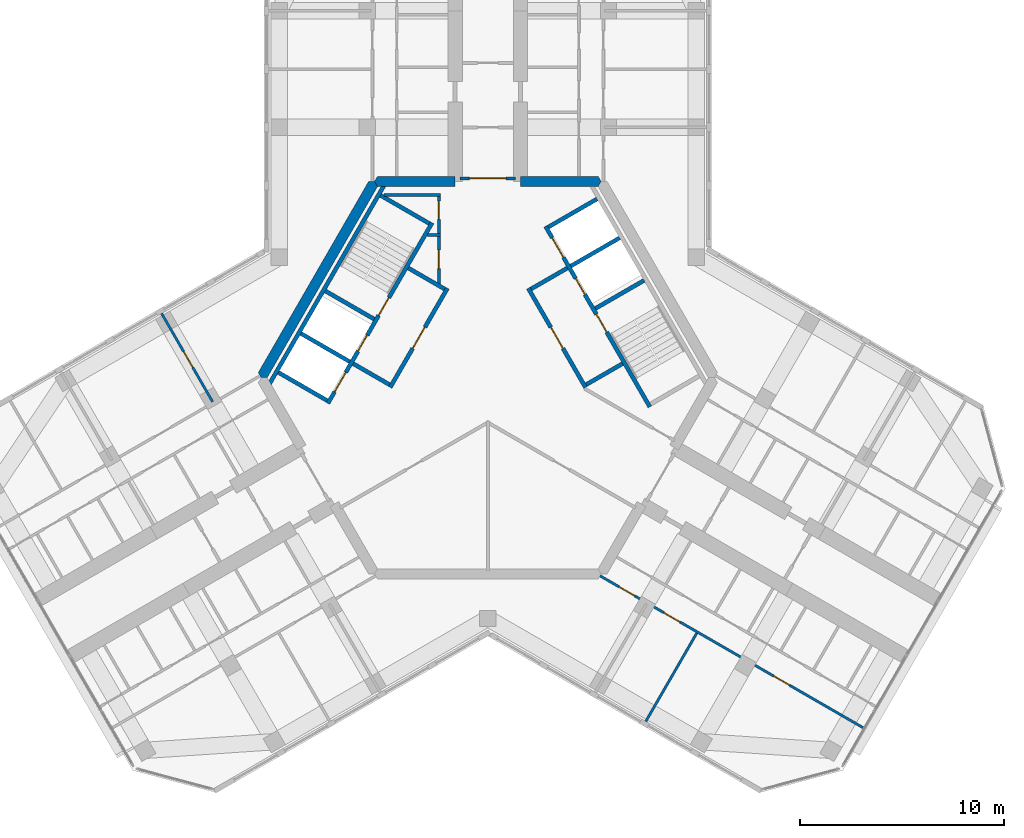
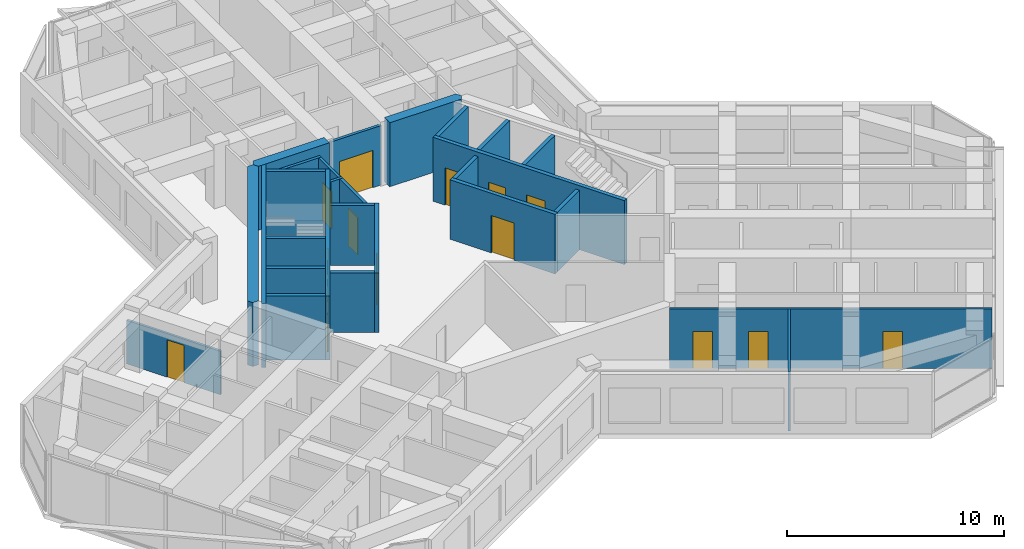
# One storey, part 9 of 14: 26 walls, 15 doors, 15 openings.
"""IFC4 building model written with IfcOpenShell, lengths in metres."""

from ifc_helpers import new_model, si_unit, direction, frame, frame_2d, origin, place, context, subcontext, project, spatial, polyline, rectangle, outline, extrude, material, layer, layer_set, type_object, element, fill, save


model = new_model("IFC4")

# Units and contexts
model_context = context("Model", 3, precision=1e-05, world=origin(), true_north=direction((0.0, 1.0)))
body_context = subcontext(model_context, "Body", "Model", "MODEL_VIEW")
ifc_project = project(units=[si_unit("LENGTHUNIT", "METRE"), si_unit("AREAUNIT", "SQUARE_METRE"), si_unit("VOLUMEUNIT", "CUBIC_METRE"), si_unit("PLANEANGLEUNIT", "RADIAN"), si_unit("MASSUNIT", "GRAM", prefix="KILO")], contexts=[model_context])

# Site, building, storey
site_placement = place(None, origin())
site = spatial("IfcSite", under=ifc_project, at=site_placement, CompositionType="ELEMENT")
building_placement = place(site_placement, origin())
building = spatial("IfcBuilding", under=site, at=building_placement, Name="Kosmar Iwan School Tower", CompositionType="ELEMENT")
storey_placement = place(building_placement, frame((0.0, 0.0, 285.39990234375)))
storey = spatial("IfcBuildingStorey", under=building, at=storey_placement, Name="L72", CompositionType="ELEMENT", Elevation=285.39990234375)

# Wall, openings, doors
ifc_material_1 = material(Name="Gypsum board on steel studs, fire-rated", Category="steel")
ifc_layer_1 = layer(ifc_material_1, 0.14990234375)
ifc_layer_set_1 = layer_set([ifc_layer_1], Name="Core room partition 150")
wall_type_1 = type_object("IfcWallType", Name="Core room partition 150", PredefinedType="PARTITIONING", material=ifc_layer_set_1)
wall_1_placement = place(storey_placement, frame((-2.39990234375, 9.014892578125, 0.0), z_axis=(0.0, 0.0, 1.0), x_axis=(0.0, -1.0, 0.0)))
wall_1 = element("IfcWall", 1, at=wall_1_placement, inside=storey, type_object=wall_type_1, Name="Core room partition L72-CW1", PredefinedType="PARTITIONING", context=body_context, shape_type="SweptSolid", body=[
    extrude(rectangle(XDim=4.484130859375, YDim=0.14990234375, at=frame_2d((2.2421875, 0.0))), origin(), (0.0, 0.0, 1.0), 3.35009765625),
])
opening_1_placement = place(wall_1_placement, frame((0.375, 0.0, 0.0)))
opening_1 = element("IfcOpeningElement", 2, at=opening_1_placement, cuts=wall_1, Name="Opening D14", PredefinedType="OPENING", context=body_context, shape_type="SweptSolid", body=[
    extrude(rectangle(XDim=0.89990234375, YDim=2.10009765625, at=frame_2d((0.449951171875, 1.050048828125))), frame((0.0, 0.0869140625, 0.0), z_axis=(0.0, -1.0, 0.0), x_axis=(1.0, 0.0, 0.0)), (0.0, 0.0, 1.0), 0.173828125),
])
opening_2_placement = place(wall_1_placement, frame((2.77490234375, 0.0, 0.0)))
opening_2 = element("IfcOpeningElement", 3, at=opening_2_placement, cuts=wall_1, Name="Opening D14", PredefinedType="OPENING", context=body_context, shape_type="SweptSolid", body=[
    extrude(rectangle(XDim=0.89990234375, YDim=2.10009765625, at=frame_2d((0.449951171875, 1.050048828125))), frame((0.0, 0.0869140625, 0.0), z_axis=(0.0, -1.0, 0.0), x_axis=(1.0, 0.0, 0.0)), (0.0, 0.0, 1.0), 0.173828125),
])
ifc_material_2 = material(Name="Timber fire door in steel frame", Category="steel")
door_type_1 = type_object("IfcDoorType", Name="Core room door 900x2100", OperationType="SINGLE_SWING_LEFT", PredefinedType="DOOR", material=ifc_material_2)
door_1_placement = place(opening_1_placement, origin())
door_1 = element("IfcDoor", 4, at=door_1_placement, inside=storey, type_object=door_type_1, Name="Electrical riser and switch room door L72 1", OperationType="SINGLE_SWING_LEFT", OverallHeight=2.10009765625, OverallWidth=0.89990234375, PredefinedType="DOOR", context=body_context, shape_type="SweptSolid", body=[
    extrude(rectangle(XDim=0.89990234375, YDim=2.10009765625, at=frame_2d((0.449951171875, 1.050048828125))), frame((0.0, 0.02490234375, 0.0), z_axis=(0.0, -1.0, 0.0), x_axis=(1.0, 0.0, 0.0)), (0.0, 0.0, 1.0), 0.050048828125),
])
fill(opening_1, door_1)
door_2_placement = place(opening_2_placement, origin())
door_2 = element("IfcDoor", 5, at=door_2_placement, inside=storey, type_object=door_type_1, Name="Plumbing and wet riser door L72 2", OperationType="SINGLE_SWING_RIGHT", OverallHeight=2.10009765625, OverallWidth=0.89990234375, PredefinedType="DOOR", context=body_context, shape_type="SweptSolid", body=[
    extrude(rectangle(XDim=0.89990234375, YDim=2.10009765625, at=frame_2d((0.449951171875, 1.050048828125))), frame((0.0, 0.02490234375, 0.0), z_axis=(0.0, -1.0, 0.0), x_axis=(1.0, 0.0, 0.0)), (0.0, 0.0, 1.0), 0.050048828125),
])
fill(opening_2, door_2)

# Walls
wall_2_placement = place(storey_placement, frame((-2.324951171875, 6.985107421875, 0.0), z_axis=(0.0, 0.0, 1.0), x_axis=(-1.0, 0.0, 0.0)))
element("IfcWall", 6, at=wall_2_placement, inside=storey, type_object=wall_type_1, Name="Core room partition L72-CW2", PredefinedType="PARTITIONING", context=body_context, shape_type="SweptSolid", body=[
    extrude(rectangle(XDim=0.623779296875, YDim=0.14990234375, at=frame_2d((0.31201171875, 0.0))), origin(), (0.0, 0.0, 1.0), 3.35009765625),
])
wall_3_placement = place(storey_placement, frame((-5.089599609375, 8.93994140625, 0.0), z_axis=(0.0, 0.0, 1.0), x_axis=(1.0, 0.0, 0.0)))
element("IfcWall", 7, at=wall_3_placement, inside=storey, type_object=wall_type_1, Name="Core room partition L72-CW3", PredefinedType="PARTITIONING", context=body_context, shape_type="SweptSolid", body=[
    extrude(rectangle(XDim=2.7646484375, YDim=0.14990234375, at=frame_2d((1.38232421875, 0.0))), origin(), (0.0, 0.0, 1.0), 3.35009765625),
])
ifc_material_3 = material(Name="Concrete C50/60", Category="concrete")
ifc_layer_2 = layer(ifc_material_3, 0.5)
ifc_layer_set_2 = layer_set([ifc_layer_2], Name="Core wall 500")
wall_type_2 = type_object("IfcWallType", Name="Core wall 500", PredefinedType="SHEAR", material=ifc_layer_set_2)
wall_4_placement = place(storey_placement, origin())
element("IfcWall", 8, at=wall_4_placement, inside=storey, type_object=wall_type_2, Name="Core wall F090a", PredefinedType="SHEAR", context=body_context, shape_type="SweptSolid", body=[
    extrude(outline(polyline([(1.60009765625, 9.35009765625), (5.398193359375, 9.35009765625), (5.54248046875, 9.60009765625), (5.398193359375, 9.85009765625), (1.60009765625, 9.85009765625), (1.60009765625, 9.35009765625)])), origin(), (0.0, 0.0, 1.0), 3.60009765625),
])
wall_5_placement = place(storey_placement, origin())
element("IfcWall", 9, at=wall_5_placement, inside=storey, type_object=wall_type_2, Name="Core wall F090b", PredefinedType="SHEAR", context=body_context, shape_type="SweptSolid", body=[
    extrude(outline(polyline([(-5.398193359375, 9.35009765625), (-1.60009765625, 9.35009765625), (-1.60009765625, 9.85009765625), (-5.398193359375, 9.85009765625), (-5.54248046875, 9.60009765625), (-5.398193359375, 9.35009765625)])), origin(), (0.0, 0.0, 1.0), 3.60009765625),
])
wall_6_placement = place(storey_placement, origin())
element("IfcWall", 10, at=wall_6_placement, inside=storey, type_object=wall_type_2, Name="Core wall F150", PredefinedType="SHEAR", context=body_context, shape_type="SweptSolid", body=[
    extrude(outline(polyline([(-11.085205078125, 0.0), (-10.79638671875, 0.0), (-5.398193359375, 9.35009765625), (-5.54248046875, 9.60009765625), (-5.831298828125, 9.60009765625), (-11.2294921875, 0.25), (-11.085205078125, 0.0)])), origin(), (0.0, 0.0, 1.0), 3.60009765625),
])

# Wall, opening, door
ifc_material_4 = material(Name="Steel framed glazed screen", Category="steel")
ifc_layer_3 = layer(ifc_material_4, 0.14990234375)
ifc_layer_set_3 = layer_set([ifc_layer_3], Name="Corridor screen wall 150")
wall_type_3 = type_object("IfcWallType", Name="Corridor screen wall 150", PredefinedType="PARTITIONING", material=ifc_layer_set_3)
wall_7_placement = place(storey_placement, frame((1.35009765625, 9.75, 0.0), z_axis=(0.0, 0.0, 1.0), x_axis=(-1.0, 0.0, 0.0)))
wall_7 = element("IfcWall", 11, at=wall_7_placement, inside=storey, type_object=wall_type_3, Name="Corridor screen A L72", PredefinedType="PARTITIONING", context=body_context, shape_type="SweptSolid", body=[
    extrude(rectangle(XDim=2.7001953125, YDim=0.14990234375, at=frame_2d((1.35009765625, 0.0))), origin(), (0.0, 0.0, 1.0), 3.35009765625),
])
opening_3_placement = place(wall_7_placement, frame((0.449951171875, 0.0, 0.0)))
opening_3 = element("IfcOpeningElement", 12, at=opening_3_placement, cuts=wall_7, Name="Opening D9", PredefinedType="OPENING", context=body_context, shape_type="SweptSolid", body=[
    extrude(rectangle(XDim=1.800048828125, YDim=2.10009765625, at=frame_2d((0.89990234375, 1.050048828125))), frame((0.0, 0.0869140625, 0.0), z_axis=(0.0, -1.0, 0.0), x_axis=(1.0, 0.0, 0.0)), (0.0, 0.0, 1.0), 0.173828125),
])
ifc_material_5 = material(Name="Steel framed glazed smoke door", Category="steel")
door_type_2 = type_object("IfcDoorType", Name="Corridor smoke door pair 1800x2100", OperationType="DOUBLE_DOOR_DOUBLE_SWING", PredefinedType="DOOR", material=ifc_material_5)
door_3_placement = place(opening_3_placement, origin())
door_3 = element("IfcDoor", 13, at=door_3_placement, inside=storey, type_object=door_type_2, Name="Corridor doors A L72", OperationType="DOUBLE_DOOR_DOUBLE_SWING", OverallHeight=2.10009765625, OverallWidth=1.800048828125, PredefinedType="DOOR", context=body_context, shape_type="SweptSolid", body=[
    extrude(rectangle(XDim=1.800048828125, YDim=2.10009765625, at=frame_2d((0.89990234375, 1.050048828125))), frame((0.0, 0.02490234375, 0.0), z_axis=(0.0, -1.0, 0.0), x_axis=(1.0, 0.0, 0.0)), (0.0, 0.0, 1.0), 0.050048828125),
])
fill(opening_3, door_3)

ifc_material_6 = material(Name="Gypsum board on steel studs", Category="steel")
ifc_layer_4 = layer(ifc_material_6, 0.1201171875)
ifc_layer_set_4 = layer_set([ifc_layer_4], Name="Dwelling partition 120")
wall_type_4 = type_object("IfcWallType", Name="Dwelling partition 120", PredefinedType="PARTITIONING", material=ifc_layer_set_4)
wall_8_placement = place(storey_placement, frame((-13.4638671875, -1.179931640625, 0.0), z_axis=(0.0, 0.0, 1.0), x_axis=(-0.499975153383, 0.86603974851, 0.0)))
wall_8 = element("IfcWall", 14, at=wall_8_placement, inside=storey, type_object=wall_type_4, Name="Partition L72-BR1-X1", PredefinedType="PARTITIONING", context=body_context, shape_type="SweptSolid", body=[
    extrude(rectangle(XDim=4.989990234375, YDim=0.1201171875, at=frame_2d((2.4951171875, 0.0))), origin(), (0.0, 0.0, 1.0), 2.4501953125),
])
opening_4_placement = place(wall_8_placement, frame((1.93994140625, 0.0, 0.0)))
opening_4 = element("IfcOpeningElement", 15, at=opening_4_placement, cuts=wall_8, Name="Opening D2", PredefinedType="OPENING", context=body_context, shape_type="SweptSolid", body=[
    extrude(rectangle(XDim=0.89990234375, YDim=2.10009765625, at=frame_2d((0.449951171875, 1.050048828125))), frame((0.0, 0.072021484375, 0.0), z_axis=(0.0, -1.0, 0.0), x_axis=(1.0, 0.0, 0.0)), (0.0, 0.0, 1.0), 0.14404296875),
])
ifc_material_7 = material(Name="Timber door in timber frame", Category="wood")
door_type_3 = type_object("IfcDoorType", Name="Internal door 900x2100", OperationType="SINGLE_SWING_LEFT", PredefinedType="DOOR", material=ifc_material_7)
door_4_placement = place(opening_4_placement, origin())
door_4 = element("IfcDoor", 16, at=door_4_placement, inside=storey, type_object=door_type_3, Name="Kitchen and dining room door L72-BR1-F1", OperationType="SINGLE_SWING_LEFT", OverallHeight=2.10009765625, OverallWidth=0.89990234375, PredefinedType="DOOR", context=body_context, shape_type="SweptSolid", body=[
    extrude(rectangle(XDim=0.89990234375, YDim=2.10009765625, at=frame_2d((0.449951171875, 1.050048828125))), frame((0.0, 0.02490234375, 0.0), z_axis=(0.0, -1.0, 0.0), x_axis=(1.0, 0.0, 0.0)), (0.0, 0.0, 1.0), 0.050048828125),
])
fill(opening_4, door_4)

# Wall, openings, doors
wall_9_placement = place(storey_placement, frame((5.48876953125, -9.693115234375, 0.0), z_axis=(0.0, 0.0, 1.0), x_axis=(0.866030301974, -0.499991515992, 0.0)))
wall_9 = element("IfcWall", 17, at=wall_9_placement, inside=storey, type_object=wall_type_4, Name="Partition L72-CR1-W2", PredefinedType="PARTITIONING", context=body_context, shape_type="SweptSolid", body=[
    extrude(rectangle(XDim=14.844970703125, YDim=0.1201171875, at=frame_2d((7.42236328125, 0.0))), origin(), (0.0, 0.0, 1.0), 3.35009765625),
])
opening_5_placement = place(wall_9_placement, frame((1.074951171875, 0.0, 0.0)))
opening_5 = element("IfcOpeningElement", 18, at=opening_5_placement, cuts=wall_9, Name="Opening D2", PredefinedType="OPENING", context=body_context, shape_type="SweptSolid", body=[
    extrude(rectangle(XDim=0.89990234375, YDim=2.10009765625, at=frame_2d((0.449951171875, 1.050048828125))), frame((0.0, 0.072021484375, 0.0), z_axis=(0.0, -1.0, 0.0), x_axis=(1.0, 0.0, 0.0)), (0.0, 0.0, 1.0), 0.14404296875),
])
opening_6_placement = place(wall_9_placement, frame((3.625, 0.0, 0.0)))
opening_6 = element("IfcOpeningElement", 19, at=opening_6_placement, cuts=wall_9, Name="Opening D2", PredefinedType="OPENING", context=body_context, shape_type="SweptSolid", body=[
    extrude(rectangle(XDim=0.89990234375, YDim=2.10009765625, at=frame_2d((0.449951171875, 1.050048828125))), frame((0.0, 0.072021484375, 0.0), z_axis=(0.0, -1.0, 0.0), x_axis=(1.0, 0.0, 0.0)), (0.0, 0.0, 1.0), 0.14404296875),
])
opening_7_placement = place(wall_9_placement, frame((9.824951171875, 0.0, 0.0)))
opening_7 = element("IfcOpeningElement", 20, at=opening_7_placement, cuts=wall_9, Name="Opening D2", PredefinedType="OPENING", context=body_context, shape_type="SweptSolid", body=[
    extrude(rectangle(XDim=0.89990234375, YDim=2.10009765625, at=frame_2d((0.449951171875, 1.050048828125))), frame((0.0, 0.072021484375, 0.0), z_axis=(0.0, -1.0, 0.0), x_axis=(1.0, 0.0, 0.0)), (0.0, 0.0, 1.0), 0.14404296875),
])
door_5_placement = place(opening_5_placement, origin())
door_5 = element("IfcDoor", 21, at=door_5_placement, inside=storey, type_object=door_type_3, Name="Bedroom 1 door L72-CR1-F1", OperationType="SINGLE_SWING_LEFT", OverallHeight=2.10009765625, OverallWidth=0.89990234375, PredefinedType="DOOR", context=body_context, shape_type="SweptSolid", body=[
    extrude(rectangle(XDim=0.89990234375, YDim=2.10009765625, at=frame_2d((0.449951171875, 1.050048828125))), frame((0.0, 0.02490234375, 0.0), z_axis=(0.0, -1.0, 0.0), x_axis=(1.0, 0.0, 0.0)), (0.0, 0.0, 1.0), 0.050048828125),
])
fill(opening_5, door_5)
door_6_placement = place(opening_6_placement, origin())
door_6 = element("IfcDoor", 22, at=door_6_placement, inside=storey, type_object=door_type_3, Name="Study door L72-CR1-F2", OperationType="SINGLE_SWING_LEFT", OverallHeight=2.10009765625, OverallWidth=0.89990234375, PredefinedType="DOOR", context=body_context, shape_type="SweptSolid", body=[
    extrude(rectangle(XDim=0.89990234375, YDim=2.10009765625, at=frame_2d((0.449951171875, 1.050048828125))), frame((0.0, 0.02490234375, 0.0), z_axis=(0.0, -1.0, 0.0), x_axis=(1.0, 0.0, 0.0)), (0.0, 0.0, 1.0), 0.050048828125),
])
fill(opening_6, door_6)
door_7_placement = place(opening_7_placement, origin())
door_7 = element("IfcDoor", 23, at=door_7_placement, inside=storey, type_object=door_type_3, Name="Living room and kitchen door L72-CR1-F3", OperationType="SINGLE_SWING_RIGHT", OverallHeight=2.10009765625, OverallWidth=0.89990234375, PredefinedType="DOOR", context=body_context, shape_type="SweptSolid", body=[
    extrude(rectangle(XDim=0.89990234375, YDim=2.10009765625, at=frame_2d((0.449951171875, 1.050048828125))), frame((0.0, 0.02490234375, 0.0), z_axis=(0.0, -1.0, 0.0), x_axis=(1.0, 0.0, 0.0)), (0.0, 0.0, 1.0), 0.050048828125),
])
fill(opening_7, door_7)

# Wall
wall_10_placement = place(storey_placement, frame((10.221923828125, -12.4951171875, 0.0), z_axis=(0.0, 0.0, 1.0), x_axis=(-0.499996339024, -0.86602751744, 0.0)))
element("IfcWall", 24, at=wall_10_placement, inside=storey, type_object=wall_type_4, Name="Partition L72-CR1-X2", PredefinedType="PARTITIONING", context=body_context, shape_type="SweptSolid", body=[
    extrude(rectangle(XDim=4.98974609375, YDim=0.1201171875, at=frame_2d((2.494873046875, 0.0))), origin(), (0.0, 0.0, 1.0), 3.35009765625),
])

# Wall, opening, door
ifc_material_8 = material(Name="Concrete block masonry", Category="masonry")
ifc_layer_5 = layer(ifc_material_8, 0.199951171875)
ifc_layer_set_5 = layer_set([ifc_layer_5], Name="Fire lobby wall 200")
wall_type_5 = type_object("IfcWallType", Name="Fire lobby wall 200", PredefinedType="PARTITIONING", material=ifc_layer_set_5)
wall_11_placement = place(storey_placement, frame((-1.9775390625, 4.374755859375, 0.0), z_axis=(0.0, 0.0, 1.0), x_axis=(-0.500016814911, -0.866015695474, 0.0)))
wall_11 = element("IfcWall", 25, at=wall_11_placement, inside=storey, type_object=wall_type_5, Name="Firefighting lobby wall ST2", PredefinedType="PARTITIONING", context=body_context, shape_type="SweptSolid", body=[
    extrude(rectangle(XDim=5.599853515625, YDim=0.199951171875, at=frame_2d((2.7998046875, 0.0))), origin(), (0.0, 0.0, 1.0), 3.35009765625),
])
opening_8_placement = place(wall_11_placement, frame((2.199951171875, 0.0, 0.0)))
opening_8 = element("IfcOpeningElement", 26, at=opening_8_placement, cuts=wall_11, Name="Opening D7", PredefinedType="OPENING", context=body_context, shape_type="SweptSolid", body=[
    extrude(rectangle(XDim=1.199951171875, YDim=2.10009765625, at=frame_2d((0.60009765625, 1.050048828125))), frame((0.0, 0.112060546875, 0.0), z_axis=(0.0, -1.0, 0.0), x_axis=(1.0, 0.0, 0.0)), (0.0, 0.0, 1.0), 0.223876953125),
])
ifc_material_9 = material(Name="Steel fire door", Category="steel")
door_type_4 = type_object("IfcDoorType", Name="Fire lobby door 1200x2100", OperationType="SINGLE_SWING_LEFT", PredefinedType="DOOR", material=ifc_material_9)
door_8_placement = place(opening_8_placement, origin())
door_8 = element("IfcDoor", 27, at=door_8_placement, inside=storey, type_object=door_type_4, Name="Firefighting lobby door ST2 L72", OperationType="SINGLE_SWING_LEFT", OverallHeight=2.10009765625, OverallWidth=1.199951171875, PredefinedType="DOOR", context=body_context, shape_type="SweptSolid", body=[
    extrude(rectangle(XDim=1.199951171875, YDim=2.10009765625, at=frame_2d((0.60009765625, 1.050048828125))), frame((0.0, 0.02490234375, 0.0), z_axis=(0.0, -1.0, 0.0), x_axis=(1.0, 0.0, 0.0)), (0.0, 0.0, 1.0), 0.050048828125),
])
fill(opening_8, door_8)

# Walls
wall_12_placement = place(storey_placement, frame((-2.114013671875, 4.33837890625, 0.0), z_axis=(0.0, 0.0, 1.0), x_axis=(-0.866050731258, 0.499956128963, 0.0)))
element("IfcWall", 28, at=wall_12_placement, inside=storey, type_object=wall_type_5, Name="Firefighting lobby wall ST2", PredefinedType="PARTITIONING", context=body_context, shape_type="SweptSolid", body=[
    extrude(rectangle(XDim=2.050048828125, YDim=0.199951171875, at=frame_2d((1.02490234375, 0.0))), origin(), (0.0, 0.0, 1.0), 3.35009765625),
])
wall_13_placement = place(storey_placement, frame((-4.814208984375, -0.33837890625, 0.0), z_axis=(0.0, 0.0, 1.0), x_axis=(-0.865969381856, 0.500097020274, 0.0)))
element("IfcWall", 29, at=wall_13_placement, inside=storey, type_object=wall_type_5, Name="Firefighting lobby wall ST2", PredefinedType="PARTITIONING", context=body_context, shape_type="SweptSolid", body=[
    extrude(rectangle(XDim=2.0498046875, YDim=0.199951171875, at=frame_2d((1.02490234375, 0.0))), origin(), (0.0, 0.0, 1.0), 3.35009765625),
])

# Wall, opening, door
wall_14_placement = place(storey_placement, frame((4.777587890625, -0.474853515625, 0.0), z_axis=(0.0, 0.0, 1.0), x_axis=(-0.500016814911, 0.866015695474, 0.0)))
wall_14 = element("IfcWall", 30, at=wall_14_placement, inside=storey, type_object=wall_type_5, Name="Firefighting lobby wall ST1", PredefinedType="PARTITIONING", context=body_context, shape_type="SweptSolid", body=[
    extrude(rectangle(XDim=5.599853515625, YDim=0.199951171875, at=frame_2d((2.7998046875, 0.0))), origin(), (0.0, 0.0, 1.0), 3.35009765625),
])
opening_9_placement = place(wall_14_placement, frame((2.199951171875, 0.0, 0.0)))
opening_9 = element("IfcOpeningElement", 31, at=opening_9_placement, cuts=wall_14, Name="Opening D7", PredefinedType="OPENING", context=body_context, shape_type="SweptSolid", body=[
    extrude(rectangle(XDim=1.199951171875, YDim=2.10009765625, at=frame_2d((0.60009765625, 1.050048828125))), frame((0.0, 0.112060546875, 0.0), z_axis=(0.0, -1.0, 0.0), x_axis=(1.0, 0.0, 0.0)), (0.0, 0.0, 1.0), 0.223876953125),
])
door_9_placement = place(opening_9_placement, origin())
door_9 = element("IfcDoor", 32, at=door_9_placement, inside=storey, type_object=door_type_4, Name="Firefighting lobby door ST1 L72", OperationType="SINGLE_SWING_LEFT", OverallHeight=2.10009765625, OverallWidth=1.199951171875, PredefinedType="DOOR", context=body_context, shape_type="SweptSolid", body=[
    extrude(rectangle(XDim=1.199951171875, YDim=2.10009765625, at=frame_2d((0.60009765625, 1.050048828125))), frame((0.0, 0.02490234375, 0.0), z_axis=(0.0, -1.0, 0.0), x_axis=(1.0, 0.0, 0.0)), (0.0, 0.0, 1.0), 0.050048828125),
])
fill(opening_9, door_9)

# Walls
wall_15_placement = place(storey_placement, frame((4.814208984375, -0.33837890625, 0.0), z_axis=(0.0, 0.0, 1.0), x_axis=(0.865969381856, 0.500097020274, 0.0)))
element("IfcWall", 33, at=wall_15_placement, inside=storey, type_object=wall_type_5, Name="Firefighting lobby wall ST1", PredefinedType="PARTITIONING", context=body_context, shape_type="SweptSolid", body=[
    extrude(rectangle(XDim=2.0498046875, YDim=0.199951171875, at=frame_2d((1.02490234375, 0.0))), origin(), (0.0, 0.0, 1.0), 3.35009765625),
])
wall_16_placement = place(storey_placement, frame((2.114013671875, 4.33837890625, 0.0), z_axis=(0.0, 0.0, 1.0), x_axis=(0.866050731258, 0.499956128963, 0.0)))
element("IfcWall", 34, at=wall_16_placement, inside=storey, type_object=wall_type_5, Name="Firefighting lobby wall ST1", PredefinedType="PARTITIONING", context=body_context, shape_type="SweptSolid", body=[
    extrude(rectangle(XDim=2.050048828125, YDim=0.199951171875, at=frame_2d((1.02490234375, 0.0))), origin(), (0.0, 0.0, 1.0), 3.35009765625),
])

# Wall, openings, doors
ifc_material_10 = material(Name="Concrete C50/60", Category="concrete")
ifc_layer_6 = layer(ifc_material_10, 0.199951171875)
ifc_layer_set_6 = layer_set([ifc_layer_6], Name="Lift shaft wall 200")
wall_type_6 = type_object("IfcWallType", Name="Lift shaft wall 200", PredefinedType="SHEAR", material=ifc_layer_set_6)
wall_17_placement = place(storey_placement, frame((-2.72607421875, 7.578369140625, 0.0), z_axis=(0.0, 0.0, 1.0), x_axis=(-0.500005610874, -0.86602216432, 0.0)))
wall_17 = element("IfcWall", 35, at=wall_17_placement, inside=storey, type_object=wall_type_6, Name="Lift and stair front wall AB", PredefinedType="SHEAR", context=body_context, shape_type="SweptSolid", body=[
    extrude(rectangle(XDim=10.2001953125, YDim=0.199951171875, at=frame_2d((5.10009765625, 0.0))), origin(), (0.0, 0.0, 1.0), 3.60009765625),
])
opening_10_placement = place(wall_17_placement, frame((6.35009765625, 0.0, 0.0)))
opening_10 = element("IfcOpeningElement", 36, at=opening_10_placement, cuts=wall_17, Name="Opening LD2", PredefinedType="OPENING", context=body_context, shape_type="SweptSolid", body=[
    extrude(rectangle(XDim=0.89990234375, YDim=2.10009765625, at=frame_2d((0.449951171875, 1.050048828125))), frame((0.0, 0.112060546875, 0.0), z_axis=(0.0, -1.0, 0.0), x_axis=(1.0, 0.0, 0.0)), (0.0, 0.0, 1.0), 0.223876953125),
])
opening_11_placement = place(wall_17_placement, frame((8.449951171875, 0.0, 0.0)))
opening_11 = element("IfcOpeningElement", 37, at=opening_11_placement, cuts=wall_17, Name="Opening LD1", PredefinedType="OPENING", context=body_context, shape_type="SweptSolid", body=[
    extrude(rectangle(XDim=1.10009765625, YDim=2.10009765625, at=frame_2d((0.550048828125, 1.050048828125))), frame((0.0, 0.112060546875, 0.0), z_axis=(0.0, -1.0, 0.0), x_axis=(1.0, 0.0, 0.0)), (0.0, 0.0, 1.0), 0.223876953125),
])
opening_12_placement = place(wall_17_placement, frame((4.22998046875, 0.0, 0.0)))
opening_12 = element("IfcOpeningElement", 38, at=opening_12_placement, cuts=wall_17, Name="Opening D6", PredefinedType="OPENING", context=body_context, shape_type="SweptSolid", body=[
    extrude(rectangle(XDim=1.0, YDim=2.10009765625, at=frame_2d((0.5, 1.050048828125))), frame((0.0, 0.112060546875, 0.0), z_axis=(0.0, -1.0, 0.0), x_axis=(1.0, 0.0, 0.0)), (0.0, 0.0, 1.0), 0.223876953125),
])
ifc_material_11 = material(Name="Stainless steel sliding lift door", Category="steel")
door_type_5 = type_object("IfcDoorType", Name="Firefighting lift landing door 900x2100", OperationType="SLIDING_TO_LEFT", PredefinedType="DOOR", material=ifc_material_11)
door_10_placement = place(opening_10_placement, origin())
door_10 = element("IfcDoor", 39, at=door_10_placement, inside=storey, type_object=door_type_5, Name="Lift FF2 landing door L72", OperationType="SLIDING_TO_LEFT", OverallHeight=2.10009765625, OverallWidth=0.89990234375, PredefinedType="DOOR", context=body_context, shape_type="SweptSolid", body=[
    extrude(rectangle(XDim=0.89990234375, YDim=2.10009765625, at=frame_2d((0.449951171875, 1.050048828125))), frame((0.0, 0.02490234375, 0.0), z_axis=(0.0, -1.0, 0.0), x_axis=(1.0, 0.0, 0.0)), (0.0, 0.0, 1.0), 0.050048828125),
])
fill(opening_10, door_10)
ifc_material_12 = material(Name="Stainless steel sliding lift door", Category="steel")
door_type_6 = type_object("IfcDoorType", Name="Lift landing door 1100x2100", OperationType="SLIDING_TO_LEFT", PredefinedType="DOOR", material=ifc_material_12)
door_11_placement = place(opening_11_placement, origin())
door_11 = element("IfcDoor", 40, at=door_11_placement, inside=storey, type_object=door_type_6, Name="Lift PL6 landing door L72", OperationType="SLIDING_TO_LEFT", OverallHeight=2.10009765625, OverallWidth=1.10009765625, PredefinedType="DOOR", context=body_context, shape_type="SweptSolid", body=[
    extrude(rectangle(XDim=1.10009765625, YDim=2.10009765625, at=frame_2d((0.550048828125, 1.050048828125))), frame((0.0, 0.02490234375, 0.0), z_axis=(0.0, -1.0, 0.0), x_axis=(1.0, 0.0, 0.0)), (0.0, 0.0, 1.0), 0.050048828125),
])
fill(opening_11, door_11)
ifc_material_13 = material(Name="Steel fire door", Category="steel")
door_type_7 = type_object("IfcDoorType", Name="Stair door 1000x2100", OperationType="SINGLE_SWING_LEFT", PredefinedType="DOOR", material=ifc_material_13)
door_12_placement = place(opening_12_placement, origin())
door_12 = element("IfcDoor", 41, at=door_12_placement, inside=storey, type_object=door_type_7, Name="Stair ST2 door L72", OperationType="SINGLE_SWING_LEFT", OverallHeight=2.10009765625, OverallWidth=1.0, PredefinedType="DOOR", context=body_context, shape_type="SweptSolid", body=[
    extrude(rectangle(XDim=1.0, YDim=2.10009765625, at=frame_2d((0.5, 1.050048828125))), frame((0.0, 0.02490234375, 0.0), z_axis=(0.0, -1.0, 0.0), x_axis=(1.0, 0.0, 0.0)), (0.0, 0.0, 1.0), 0.050048828125),
])
fill(opening_12, door_12)

# Walls
wall_18_placement = place(storey_placement, frame((-5.08056640625, 9.39990234375, 0.0), z_axis=(0.0, 0.0, 1.0), x_axis=(-0.500004846395, -0.866022605699, 0.0)))
element("IfcWall", 42, at=wall_18_placement, inside=storey, type_object=wall_type_6, Name="Lift and stair back wall AB", PredefinedType="SHEAR", context=body_context, shape_type="SweptSolid", body=[
    extrude(rectangle(XDim=11.20068359375, YDim=0.199951171875, at=frame_2d((5.600341796875, 0.0))), origin(), (0.0, 0.0, 1.0), 3.60009765625),
])
for number, where, z_axis, x_axis, name in (
    (43, (-6.7626953125, 0.78662109375, 0.0), (0.0, 0.0, 1.0), (-0.866027397988, 0.499996545922, 0.0), "Lift shaft wall AB 1"),
    (44, (-7.862548828125, -1.118408203125, 0.0), (0.0, 0.0, 1.0), (-0.866027397988, 0.499996545922, 0.0), "Lift shaft wall AB 2"),
):
    element("IfcWall", number, at=place(storey_placement, frame(where, z_axis=z_axis, x_axis=x_axis)), inside=storey, type_object=wall_type_6, Name=name, PredefinedType="SHEAR", context=body_context, shape_type="SweptSolid", body=[
        extrude(rectangle(XDim=2.75, YDim=0.199951171875, at=frame_2d((1.375, 0.0))), origin(), (0.0, 0.0, 1.0), 3.60009765625),
    ])

# Wall, openings, doors
wall_19_placement = place(storey_placement, frame((7.926025390625, -1.42822265625, 0.0), z_axis=(0.0, 0.0, 1.0), x_axis=(-0.499998023675, 0.866026544813, 0.0)))
wall_19 = element("IfcWall", 45, at=wall_19_placement, inside=storey, type_object=wall_type_6, Name="Lift and stair front wall AC", PredefinedType="SHEAR", context=body_context, shape_type="SweptSolid", body=[
    extrude(rectangle(XDim=10.19970703125, YDim=0.199951171875, at=frame_2d((5.099853515625, 0.0))), origin(), (0.0, 0.0, 1.0), 3.60009765625),
])
opening_13_placement = place(wall_19_placement, frame((6.35009765625, 0.0, 0.0)))
opening_13 = element("IfcOpeningElement", 46, at=opening_13_placement, cuts=wall_19, Name="Opening LD2", PredefinedType="OPENING", context=body_context, shape_type="SweptSolid", body=[
    extrude(rectangle(XDim=0.89990234375, YDim=2.10009765625, at=frame_2d((0.449951171875, 1.050048828125))), frame((0.0, 0.112060546875, 0.0), z_axis=(0.0, -1.0, 0.0), x_axis=(1.0, 0.0, 0.0)), (0.0, 0.0, 1.0), 0.223876953125),
])
opening_14_placement = place(wall_19_placement, frame((8.449951171875, 0.0, 0.0)))
opening_14 = element("IfcOpeningElement", 47, at=opening_14_placement, cuts=wall_19, Name="Opening LD1", PredefinedType="OPENING", context=body_context, shape_type="SweptSolid", body=[
    extrude(rectangle(XDim=1.10009765625, YDim=2.10009765625, at=frame_2d((0.550048828125, 1.050048828125))), frame((0.0, 0.112060546875, 0.0), z_axis=(0.0, -1.0, 0.0), x_axis=(1.0, 0.0, 0.0)), (0.0, 0.0, 1.0), 0.223876953125),
])
opening_15_placement = place(wall_19_placement, frame((4.22998046875, 0.0, 0.0)))
opening_15 = element("IfcOpeningElement", 48, at=opening_15_placement, cuts=wall_19, Name="Opening D6", PredefinedType="OPENING", context=body_context, shape_type="SweptSolid", body=[
    extrude(rectangle(XDim=1.0, YDim=2.10009765625, at=frame_2d((0.5, 1.050048828125))), frame((0.0, 0.112060546875, 0.0), z_axis=(0.0, -1.0, 0.0), x_axis=(1.0, 0.0, 0.0)), (0.0, 0.0, 1.0), 0.223876953125),
])
door_13_placement = place(opening_13_placement, origin())
door_13 = element("IfcDoor", 49, at=door_13_placement, inside=storey, type_object=door_type_5, Name="Lift FF1 landing door L72", OperationType="SLIDING_TO_LEFT", OverallHeight=2.10009765625, OverallWidth=0.89990234375, PredefinedType="DOOR", context=body_context, shape_type="SweptSolid", body=[
    extrude(rectangle(XDim=0.89990234375, YDim=2.10009765625, at=frame_2d((0.449951171875, 1.050048828125))), frame((0.0, 0.02490234375, 0.0), z_axis=(0.0, -1.0, 0.0), x_axis=(1.0, 0.0, 0.0)), (0.0, 0.0, 1.0), 0.050048828125),
])
fill(opening_13, door_13)
door_14_placement = place(opening_14_placement, origin())
door_14 = element("IfcDoor", 50, at=door_14_placement, inside=storey, type_object=door_type_6, Name="Lift PL5 landing door L72", OperationType="SLIDING_TO_LEFT", OverallHeight=2.10009765625, OverallWidth=1.10009765625, PredefinedType="DOOR", context=body_context, shape_type="SweptSolid", body=[
    extrude(rectangle(XDim=1.10009765625, YDim=2.10009765625, at=frame_2d((0.550048828125, 1.050048828125))), frame((0.0, 0.02490234375, 0.0), z_axis=(0.0, -1.0, 0.0), x_axis=(1.0, 0.0, 0.0)), (0.0, 0.0, 1.0), 0.050048828125),
])
fill(opening_14, door_14)
door_15_placement = place(opening_15_placement, origin())
door_15 = element("IfcDoor", 51, at=door_15_placement, inside=storey, type_object=door_type_7, Name="Stair ST1 door L72", OperationType="SINGLE_SWING_LEFT", OverallHeight=2.10009765625, OverallWidth=1.0, PredefinedType="DOOR", context=body_context, shape_type="SweptSolid", body=[
    extrude(rectangle(XDim=1.0, YDim=2.10009765625, at=frame_2d((0.5, 1.050048828125))), frame((0.0, 0.02490234375, 0.0), z_axis=(0.0, -1.0, 0.0), x_axis=(1.0, 0.0, 0.0)), (0.0, 0.0, 1.0), 0.050048828125),
])
fill(opening_15, door_15)

# Walls
for number, where, z_axis, x_axis, name in (
    (52, (4.062744140625, 5.46337890625, 0.0), (0.0, 0.0, 1.0), (0.866027397988, 0.499996545922, 0.0), "Lift shaft wall AC 1"),
    (53, (2.962646484375, 7.368408203125, 0.0), (0.0, 0.0, 1.0), (0.866027397988, 0.499996545922, 0.0), "Lift shaft wall AC 2"),
):
    element("IfcWall", number, at=place(storey_placement, frame(where, z_axis=z_axis, x_axis=x_axis)), inside=storey, type_object=wall_type_6, Name=name, PredefinedType="SHEAR", context=body_context, shape_type="SweptSolid", body=[
        extrude(rectangle(XDim=2.75, YDim=0.199951171875, at=frame_2d((1.375, 0.0))), origin(), (0.0, 0.0, 1.0), 3.60009765625),
    ])
ifc_material_14 = material(Name="Concrete C50/60", Category="concrete")
ifc_layer_7 = layer(ifc_material_14, 0.199951171875)
ifc_layer_set_7 = layer_set([ifc_layer_7], Name="Stair enclosure wall 200")
wall_type_7 = type_object("IfcWallType", Name="Stair enclosure wall 200", PredefinedType="SHEAR", material=ifc_layer_set_7)
for number, where, z_axis, x_axis, name in (
    (54, (-2.862548828125, 7.541748046875, 0.0), (0.0, 0.0, 1.0), (-0.866027397988, 0.499996545922, 0.0), "Stair ST2 wall"),
    (55, (-5.562744140625, 2.865234375, 0.0), (0.0, 0.0, 1.0), (-0.866027397988, 0.499996545922, 0.0), "Stair ST2 wall"),
    (56, (5.2626953125, 3.384765625, 0.0), (0.0, 0.0, 1.0), (0.866027397988, 0.499996545922, 0.0), "Stair ST1 wall"),
):
    element("IfcWall", number, at=place(storey_placement, frame(where, z_axis=z_axis, x_axis=x_axis)), inside=storey, type_object=wall_type_7, Name=name, PredefinedType="SHEAR", context=body_context, shape_type="SweptSolid", body=[
        extrude(rectangle(XDim=2.75, YDim=0.199951171875, at=frame_2d((1.375, 0.0))), origin(), (0.0, 0.0, 1.0), 3.60009765625),
    ])

save(model, "model.ifc")
